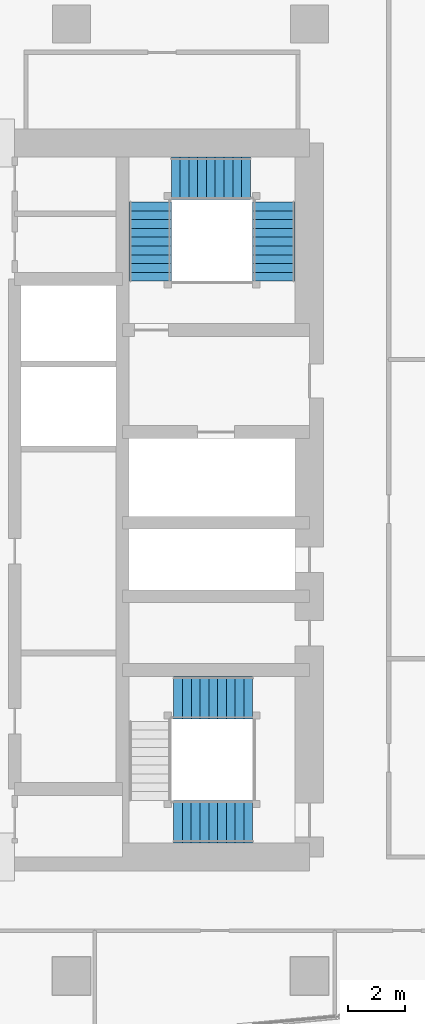
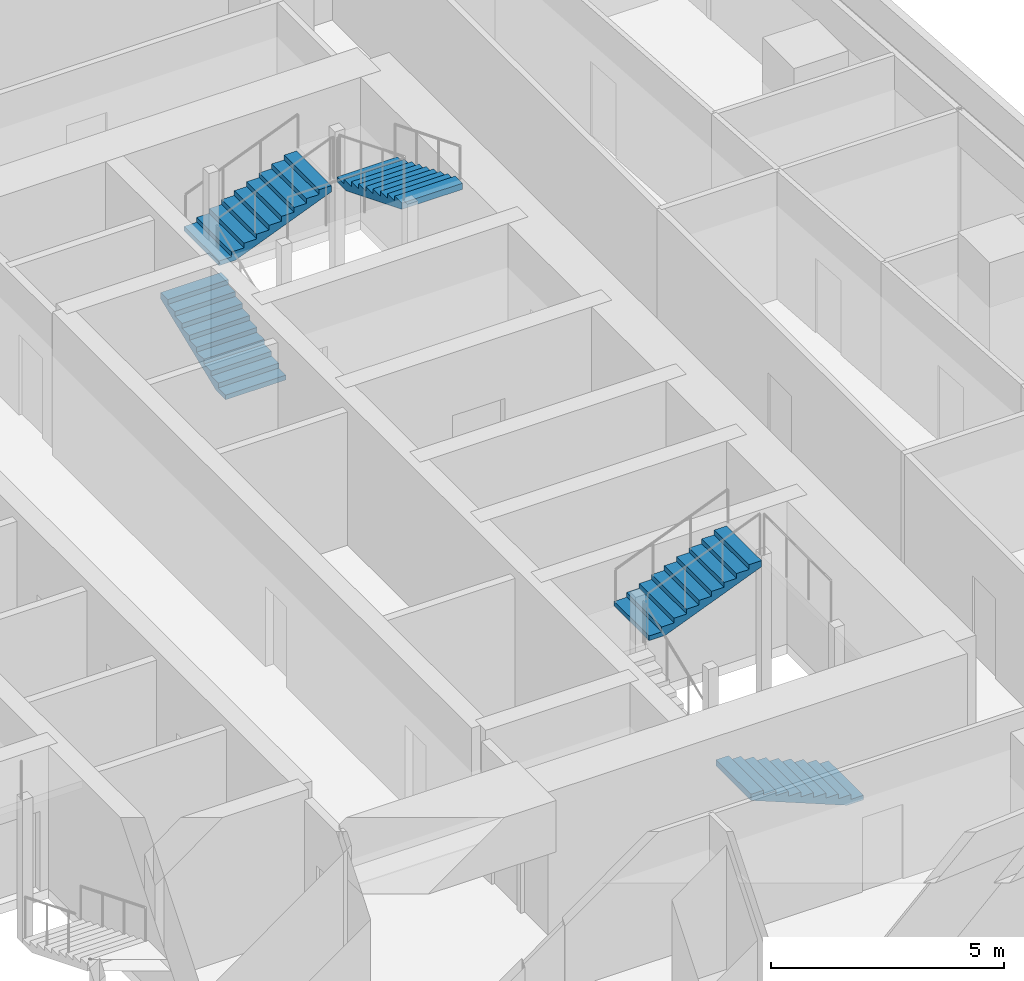
# One storey, part 31 of 39: 5 stair flights, 2 elements without a shape of their own.
"""IFC4 building model written with IfcOpenShell, lengths in metres."""

from ifc_helpers import new_model, si_unit, direction, frame, origin, place, context, subcontext, project, spatial, polyline, outline, extrude, material, type_object, element, aggregate, save


model = new_model("IFC4")

# Units and contexts
model_context = context("Model", 3, precision=1e-05, world=origin(), true_north=direction((0.0, 1.0)))
body_context = subcontext(model_context, "Body", "Model", "MODEL_VIEW")
ifc_project = project(units=[si_unit("LENGTHUNIT", "METRE"), si_unit("AREAUNIT", "SQUARE_METRE"), si_unit("VOLUMEUNIT", "CUBIC_METRE"), si_unit("PLANEANGLEUNIT", "RADIAN"), si_unit("MASSUNIT", "GRAM", prefix="KILO")], contexts=[model_context])

# Site, building, storey
site_placement = place(None, origin())
site = spatial("IfcSite", under=ifc_project, at=site_placement, CompositionType="ELEMENT")
building_placement = place(site_placement, origin())
building = spatial("IfcBuilding", under=site, at=building_placement, Name="Rekha Terrace Tower", CompositionType="ELEMENT")
storey_placement = place(building_placement, frame((0.0, 0.0, 187.699951171875)))
storey = spatial("IfcBuildingStorey", under=building, at=storey_placement, Name="L47", CompositionType="ELEMENT", Elevation=187.699951171875)

# Stair, stair flights
ifc_material = material(Name="Concrete M40", Category="concrete")
stair_type = type_object("IfcStairType", Name="ST30 stair, 30 risers of 125, going 310, 1500 wide flights, 3 flights", PredefinedType="HALF_TURN_STAIR", material=ifc_material)
stair_1_placement = place(storey_placement, origin())
stair_1 = element("IfcStair", 1, at=stair_1_placement, inside=storey, type_object=stair_type, Name="Stair ST2 L47 to L48", PredefinedType="HALF_TURN_STAIR")
stair_flight_type = type_object("IfcStairFlightType", Name="SF10 stair flight, 10 risers of 125, going 310, 1500 wide", PredefinedType="STRAIGHT", material=ifc_material)
stair_flight_1_placement = place(storey_placement, frame((44.77490234375, 41.324951171875, 0.0), z_axis=(0.0, 0.0, 1.0), x_axis=(0.0, 1.0, 0.0)))
stair_flight_1 = element("IfcStairFlight", 2, at=stair_flight_1_placement, type_object=stair_flight_type, Name="ST2 flight 1", NumberOfRisers=10, NumberOfTreads=9, PredefinedType="STRAIGHT", RiserHeight=0.125, TreadLength=0.31, context=body_context, shape_type="SweptSolid", body=[
    extrude(outline(polyline([(0.0, 0.0), (0.0, 0.125), (0.31005859375, 0.125), (0.31005859375, 0.25), (0.6201171875, 0.25), (0.6201171875, 0.375), (0.929931640625, 0.375), (0.929931640625, 0.5), (1.239990234375, 0.5), (1.239990234375, 0.625), (1.550048828125, 0.625), (1.550048828125, 0.75), (1.860107421875, 0.75), (1.860107421875, 0.875), (2.169921875, 0.875), (2.169921875, 1.0), (2.47998046875, 1.0), (2.47998046875, 1.125), (2.7900390625, 1.125), (2.7900390625, 1.25), (2.7900390625, 0.96337890625), (0.40087890625, 0.0), (0.0, 0.0)])), frame((0.0, 0.75, 0.0), z_axis=(0.0, -1.0, 0.0), x_axis=(1.0, 0.0, 0.0)), (0.0, 0.0, 1.0), 1.5),
])
stair_flight_2_placement = place(storey_placement, frame((45.52490234375, 44.949951171875, 1.25), z_axis=(0.0, 0.0, 1.0), x_axis=(1.0, 0.0, 0.0)))
stair_flight_2 = element("IfcStairFlight", 3, at=stair_flight_2_placement, type_object=stair_flight_type, Name="ST2 flight 2", NumberOfRisers=10, NumberOfTreads=9, PredefinedType="STRAIGHT", RiserHeight=0.125, TreadLength=0.31, context=body_context, shape_type="SweptSolid", body=[
    extrude(outline(polyline([(0.0, 0.0), (0.0, 0.125), (0.31005859375, 0.125), (0.31005859375, 0.25), (0.6201171875, 0.25), (0.6201171875, 0.375), (0.929931640625, 0.375), (0.929931640625, 0.5), (1.239990234375, 0.5), (1.239990234375, 0.625), (1.550048828125, 0.625), (1.550048828125, 0.75), (1.860107421875, 0.75), (1.860107421875, 0.875), (2.169921875, 0.875), (2.169921875, 1.0), (2.47998046875, 1.0), (2.47998046875, 1.125), (2.7900390625, 1.125), (2.7900390625, 1.25), (2.7900390625, 0.96337890625), (0.40087890625, 0.0), (0.0, 0.0)])), frame((0.0, 0.75, 0.0), z_axis=(0.0, -1.0, 0.0), x_axis=(1.0, 0.0, 0.0)), (0.0, 0.0, 1.0), 1.5),
])
stair_flight_3_placement = place(storey_placement, frame((49.14990234375, 44.114990234375, 2.5), z_axis=(0.0, 0.0, 1.0), x_axis=(0.0, -1.0, 0.0)))
stair_flight_3 = element("IfcStairFlight", 4, at=stair_flight_3_placement, type_object=stair_flight_type, Name="ST2 flight 3", NumberOfRisers=10, NumberOfTreads=9, PredefinedType="STRAIGHT", RiserHeight=0.125, TreadLength=0.31, context=body_context, shape_type="SweptSolid", body=[
    extrude(outline(polyline([(0.0, 0.0), (0.0, 0.125), (0.31005859375, 0.125), (0.31005859375, 0.25), (0.6201171875, 0.25), (0.6201171875, 0.375), (0.929931640625, 0.375), (0.929931640625, 0.5), (1.239990234375, 0.5), (1.239990234375, 0.625), (1.550048828125, 0.625), (1.550048828125, 0.75), (1.860107421875, 0.75), (1.860107421875, 0.875), (2.169921875, 0.875), (2.169921875, 1.0), (2.47998046875, 1.0), (2.47998046875, 1.125), (2.7900390625, 1.125), (2.7900390625, 1.25), (2.7900390625, 0.96337890625), (0.40087890625, 0.0), (0.0, 0.0)])), frame((0.0, 0.75, 0.0), z_axis=(0.0, -1.0, 0.0), x_axis=(1.0, 0.0, 0.0)), (0.0, 0.0, 1.0), 1.5),
])
aggregate(stair_1, [stair_flight_1, stair_flight_2, stair_flight_3])

stair_2_placement = place(storey_placement, origin())
stair_2 = element("IfcStair", 5, at=stair_2_placement, inside=storey, type_object=stair_type, Name="Stair ST3 L47 to L48", PredefinedType="HALF_TURN_STAIR")
stair_flight_4_placement = place(storey_placement, frame((48.39990234375, 22.25, 0.0), z_axis=(0.0, 0.0, 1.0), x_axis=(-1.0, 0.0, 0.0)))
stair_flight_4 = element("IfcStairFlight", 6, at=stair_flight_4_placement, type_object=stair_flight_type, Name="ST3 flight 1", NumberOfRisers=10, NumberOfTreads=9, PredefinedType="STRAIGHT", RiserHeight=0.125, TreadLength=0.31, context=body_context, shape_type="SweptSolid", body=[
    extrude(outline(polyline([(0.0, 0.0), (0.0, 0.125), (0.31005859375, 0.125), (0.31005859375, 0.25), (0.6201171875, 0.25), (0.6201171875, 0.375), (0.929931640625, 0.375), (0.929931640625, 0.5), (1.239990234375, 0.5), (1.239990234375, 0.625), (1.550048828125, 0.625), (1.550048828125, 0.75), (1.860107421875, 0.75), (1.860107421875, 0.875), (2.169921875, 0.875), (2.169921875, 1.0), (2.47998046875, 1.0), (2.47998046875, 1.125), (2.7900390625, 1.125), (2.7900390625, 1.25), (2.7900390625, 0.96337890625), (0.40087890625, 0.0), (0.0, 0.0)])), frame((0.0, 0.75, 0.0), z_axis=(0.0, -1.0, 0.0), x_axis=(1.0, 0.0, 0.0)), (0.0, 0.0, 1.0), 1.5),
])
stair_flight_5_placement = place(storey_placement, frame((45.610107421875, 26.625, 2.5), z_axis=(0.0, 0.0, 1.0), x_axis=(1.0, 0.0, 0.0)))
stair_flight_5 = element("IfcStairFlight", 7, at=stair_flight_5_placement, type_object=stair_flight_type, Name="ST3 flight 3", NumberOfRisers=10, NumberOfTreads=9, PredefinedType="STRAIGHT", RiserHeight=0.125, TreadLength=0.31, context=body_context, shape_type="SweptSolid", body=[
    extrude(outline(polyline([(0.0, 0.0), (0.0, 0.125), (0.31005859375, 0.125), (0.31005859375, 0.25), (0.6201171875, 0.25), (0.6201171875, 0.375), (0.929931640625, 0.375), (0.929931640625, 0.5), (1.239990234375, 0.5), (1.239990234375, 0.625), (1.550048828125, 0.625), (1.550048828125, 0.75), (1.860107421875, 0.75), (1.860107421875, 0.875), (2.169921875, 0.875), (2.169921875, 1.0), (2.47998046875, 1.0), (2.47998046875, 1.125), (2.7900390625, 1.125), (2.7900390625, 1.25), (2.7900390625, 0.96337890625), (0.40087890625, 0.0), (0.0, 0.0)])), frame((0.0, 0.75, 0.0), z_axis=(0.0, -1.0, 0.0), x_axis=(1.0, 0.0, 0.0)), (0.0, 0.0, 1.0), 1.5),
])
aggregate(stair_2, [stair_flight_4, stair_flight_5])

save(model, "model.ifc")
